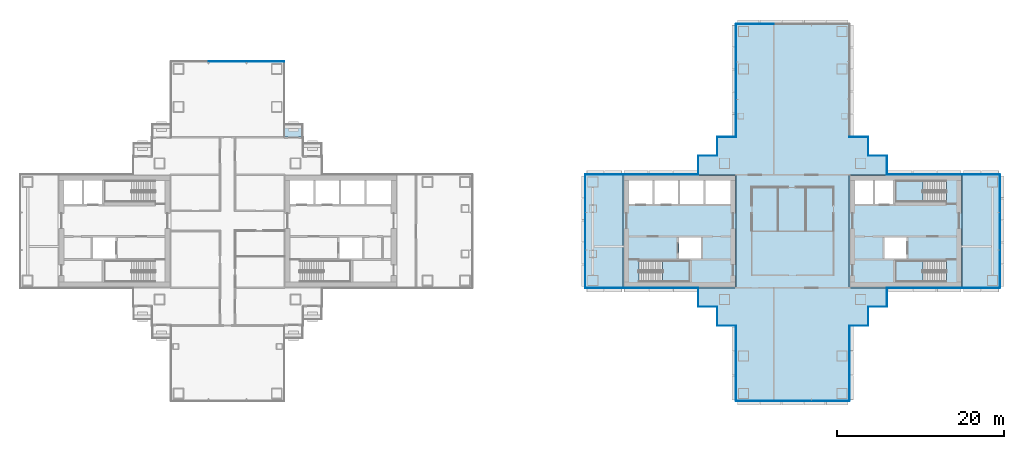
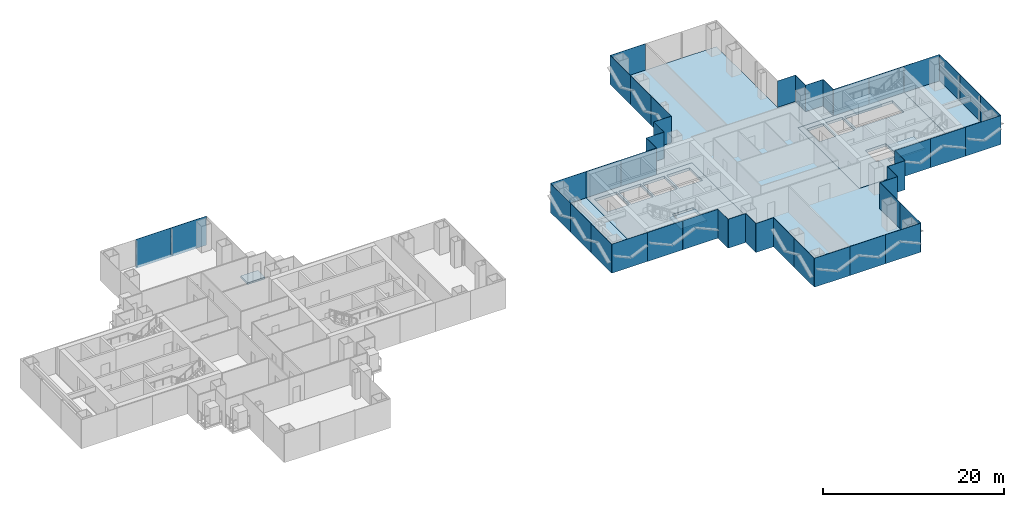
# One storey, part 10 of 20: 47 plates, 9 slabs, 23 elements without a shape of their own.
"""IFC4 building model written with IfcOpenShell, lengths in metres."""

from ifc_helpers import new_model, si_unit, direction, frame, origin, origin_2d, place, context, subcontext, project, spatial, polyline, rectangle, outline, extrude, material, layer, layer_set, type_object, element, aggregate, save


model = new_model("IFC4")

# Units and contexts
model_context = context("Model", 3, precision=1e-05, world=origin(), true_north=direction((0.0, 1.0)))
body_context = subcontext(model_context, "Body", "Model", "MODEL_VIEW")
ifc_project = project(units=[si_unit("LENGTHUNIT", "METRE"), si_unit("AREAUNIT", "SQUARE_METRE"), si_unit("VOLUMEUNIT", "CUBIC_METRE"), si_unit("PLANEANGLEUNIT", "RADIAN"), si_unit("MASSUNIT", "GRAM", prefix="KILO")], contexts=[model_context])

# Site, building, storey
site_placement = place(None, origin())
site = spatial("IfcSite", under=ifc_project, at=site_placement, CompositionType="ELEMENT")
building_placement = place(site_placement, origin())
building = spatial("IfcBuilding", under=site, at=building_placement, Name="Shamsa Quay Exchange Towers", CompositionType="ELEMENT")
storey_placement = place(building_placement, frame((0.0, 0.0, 105.300048828125)))
storey = spatial("IfcBuildingStorey", under=building, at=storey_placement, Name="L24", CompositionType="ELEMENT", Elevation=105.300048828125)

# Slabs
ifc_material_1 = material(Name="Precast concrete C40/50", Category="concrete")
ifc_layer_1 = layer(ifc_material_1, 0.25)
ifc_layer_set_1 = layer_set([ifc_layer_1], Name="BALCONY SLAB 250")
slab_type_1 = type_object("IfcSlabType", Name="BALCONY SLAB 250", PredefinedType="FLOOR", material=ifc_layer_set_1)
slab_1_placement = place(storey_placement, frame((0.0, 0.0, -0.25)))
element("IfcSlab", 1, at=slab_1_placement, inside=storey, type_object=slab_type_1, Name="Balcony T1-PKEN L24", PredefinedType="FLOOR", context=body_context, shape_type="SweptSolid", body=[
    extrude(outline(polyline([(-24.75, 11.25), (-26.9619140625, 11.25), (-26.9619140625, 12.800048828125), (-24.75, 12.800048828125), (-24.75, 11.25)])), origin(), (0.0, 0.0, 1.0), 0.25),
])
ifc_material_2 = material(Name="Concrete C50/60", Category="concrete")
ifc_layer_2 = layer(ifc_material_2, 0.35009765625)
ifc_layer_set_2 = layer_set([ifc_layer_2], Name="CORE FLOOR 350 C50/60")
slab_type_2 = type_object("IfcSlabType", Name="CORE FLOOR 350 C50/60", PredefinedType="FLOOR", material=ifc_layer_set_2)
slab_2_placement = place(storey_placement, frame((0.0, 0.0, -0.35009765625)))
element("IfcSlab", 2, at=slab_2_placement, inside=storey, type_object=slab_type_2, Name="Core floor T2A", PredefinedType="FLOOR", context=body_context, shape_type="SweptSolid", body=[
    extrude(outline(polyline([(13.5, -6.75), (27.0, -6.75), (27.0, 6.75), (13.5, 6.75), (13.5, -6.75)]), holes=[polyline([(15.400634765625, -6.050048828125), (15.400634765625, -3.5), (21.5, -3.5), (21.5, -6.050048828125), (15.400634765625, -6.050048828125)]), polyline([(14.199951171875, 3.25), (14.199951171875, 6.050048828125), (17.0, 6.050048828125), (17.0, 3.25), (14.199951171875, 3.25)]), polyline([(17.25, 3.25), (17.25, 6.050048828125), (20.050048828125, 6.050048828125), (20.050048828125, 3.25), (17.25, 3.25)]), polyline([(20.300048828125, 3.25), (20.300048828125, 6.050048828125), (23.10009765625, 6.050048828125), (23.10009765625, 3.25), (20.300048828125, 3.25)]), polyline([(23.35009765625, 3.25), (23.35009765625, 6.050048828125), (26.300048828125, 6.050048828125), (26.300048828125, 3.25), (23.35009765625, 3.25)]), polyline([(20.14990234375, -3.25), (20.14990234375, -0.75), (22.800048828125, -0.75), (22.800048828125, -3.25), (20.14990234375, -3.25)])]), origin(), (0.0, 0.0, 1.0), 0.35009765625),
])
slab_3_placement = place(storey_placement, frame((0.0, 0.0, -0.35009765625)))
element("IfcSlab", 3, at=slab_3_placement, inside=storey, type_object=slab_type_2, Name="Core floor T2B", PredefinedType="FLOOR", context=body_context, shape_type="SweptSolid", body=[
    extrude(outline(polyline([(54.0, -6.75), (54.0, 6.75), (40.5, 6.75), (40.5, -6.75), (54.0, -6.75)]), holes=[polyline([(52.099365234375, -3.5), (52.099365234375, -6.050048828125), (46.0, -6.050048828125), (46.0, -3.5), (52.099365234375, -3.5)]), polyline([(52.099365234375, 6.050048828125), (52.099365234375, 3.5), (46.0, 3.5), (46.0, 6.050048828125), (52.099365234375, 6.050048828125)]), polyline([(45.75, 3.25), (43.60009765625, 3.25), (43.60009765625, 6.050048828125), (45.75, 6.050048828125), (45.75, 3.25)]), polyline([(43.35009765625, 3.25), (41.199951171875, 3.25), (41.199951171875, 6.050048828125), (43.35009765625, 6.050048828125), (43.35009765625, 3.25)]), polyline([(47.35009765625, -3.25), (44.699951171875, -3.25), (44.699951171875, -0.75), (47.35009765625, -0.75), (47.35009765625, -3.25)])]), origin(), (0.0, 0.0, 1.0), 0.35009765625),
])

# Stair, slab
ifc_material_3 = material(Name="Concrete C40/50", Category="concrete")
stair_type = type_object("IfcStairType", Name="EXIT STAIR 22 RISERS 177 MM", PredefinedType="HALF_TURN_STAIR", material=ifc_material_3)
stair_1_placement = place(storey_placement, origin())
stair_1 = element("IfcStair", 4, at=stair_1_placement, inside=storey, type_object=stair_type, Name="L24 Exit stair ST4", PredefinedType="HALF_TURN_STAIR")
ifc_layer_3 = layer(ifc_material_3, 0.199951171875)
ifc_layer_set_3 = layer_set([ifc_layer_3], Name="CORE STAIR LANDING")
slab_type_3 = type_object("IfcSlabType", Name="CORE STAIR LANDING", PredefinedType="LANDING", material=ifc_layer_set_3)
slab_4_placement = place(storey_placement, frame((0.0, 0.0, 1.75)))
slab_4 = element("IfcSlab", 5, at=slab_4_placement, type_object=slab_type_3, Name="ST4 landing 1", PredefinedType="LANDING", context=body_context, shape_type="SweptSolid", body=[
    extrude(outline(polyline([(18.199951171875, -6.050048828125), (21.5, -6.050048828125), (21.5, -3.5), (18.199951171875, -3.5), (18.199951171875, -6.050048828125)])), origin(), (0.0, 0.0, 1.0), 0.199951171875),
])
aggregate(stair_1, [slab_4])

stair_2_placement = place(storey_placement, origin())
stair_2 = element("IfcStair", 6, at=stair_2_placement, inside=storey, type_object=stair_type, Name="L24 Exit stair ST5", PredefinedType="HALF_TURN_STAIR")
slab_5_placement = place(storey_placement, frame((0.0, 0.0, 1.75)))
slab_5 = element("IfcSlab", 7, at=slab_5_placement, type_object=slab_type_3, Name="ST5 landing 1", PredefinedType="LANDING", context=body_context, shape_type="SweptSolid", body=[
    extrude(outline(polyline([(49.300048828125, -3.5), (46.0, -3.5), (46.0, -6.050048828125), (49.300048828125, -6.050048828125), (49.300048828125, -3.5)])), origin(), (0.0, 0.0, 1.0), 0.199951171875),
])
aggregate(stair_2, [slab_5])

stair_3_placement = place(storey_placement, origin())
stair_3 = element("IfcStair", 8, at=stair_3_placement, inside=storey, type_object=stair_type, Name="L24 Exit stair ST6", PredefinedType="HALF_TURN_STAIR")
slab_6_placement = place(storey_placement, frame((0.0, 0.0, 1.75)))
slab_6 = element("IfcSlab", 9, at=slab_6_placement, type_object=slab_type_3, Name="ST6 landing 1", PredefinedType="LANDING", context=body_context, shape_type="SweptSolid", body=[
    extrude(outline(polyline([(49.300048828125, 6.050048828125), (46.0, 6.050048828125), (46.0, 3.5), (49.300048828125, 3.5), (49.300048828125, 6.050048828125)])), origin(), (0.0, 0.0, 1.0), 0.199951171875),
])
aggregate(stair_3, [slab_6])

# Curtain wall, plates
ifc_material_4 = material(Name="Aluminium EN AW-6063 T6, black anodised", Category="aluminium")
ifc_layer_4 = layer(ifc_material_4, 0.280029296875)
ifc_layer_set_4 = layer_set([ifc_layer_4], Name="CW-1 UNITISED VISION GLASS")
curtain_wall_type_1 = type_object("IfcCurtainWallType", Name="CW-1 UNITISED VISION GLASS", PredefinedType="NOTDEFINED", material=ifc_layer_set_4)
curtain_wall_1_placement = place(storey_placement, origin())
curtain_wall_1 = element("IfcCurtainWall", 10, at=curtain_wall_1_placement, inside=storey, type_object=curtain_wall_type_1, Name="CW1 T1-END-V+ L24", PredefinedType="NOTDEFINED")
ifc_material_5 = material(Name="Glass, laminated, dark tinted", Category="glass")
ifc_layer_5 = layer(ifc_material_5, 0.0400390625)
ifc_layer_set_5 = layer_set([ifc_layer_5], Name="CW-1 VISION GLASS 40")
plate_type_1 = type_object("IfcPlateType", Name="CW-1 VISION GLASS 40", PredefinedType="CURTAIN_PANEL", material=ifc_layer_set_5)
plate_1_placement = place(storey_placement, frame((-29.24755859375, 20.27001953125, -0.35009765625), z_axis=(0.0, 0.0, 1.0), x_axis=(-1.0, 0.0, 0.0)))
plate_1 = element("IfcPlate", 11, at=plate_1_placement, type_object=plate_type_1, Name="CW1 glass panel", PredefinedType="CURTAIN_PANEL", context=body_context, shape_type="SweptSolid", body=[
    extrude(rectangle(XDim=4.4951171875, YDim=0.0400390625, at=origin_2d()), origin(), (0.0, 0.0, 1.0), 3.89990234375),
])
plate_2_placement = place(storey_placement, frame((-33.75, 20.27001953125, -0.35009765625), z_axis=(0.0, 0.0, 1.0), x_axis=(-1.0, 0.0, 0.0)))
plate_2 = element("IfcPlate", 12, at=plate_2_placement, type_object=plate_type_1, Name="CW1 glass panel", PredefinedType="CURTAIN_PANEL", context=body_context, shape_type="SweptSolid", body=[
    extrude(rectangle(XDim=4.489990234375, YDim=0.0400390625, at=origin_2d()), origin(), (0.0, 0.0, 1.0), 3.89990234375),
])
aggregate(curtain_wall_1, [plate_1, plate_2])

# Curtain wall, plate
curtain_wall_2_placement = place(storey_placement, origin())
curtain_wall_2 = element("IfcCurtainWall", 13, at=curtain_wall_2_placement, inside=storey, type_object=curtain_wall_type_1, Name="CW1 T2-FLK-V-W L24", PredefinedType="NOTDEFINED")
plate_3_placement = place(storey_placement, frame((56.25, -6.77001953125, -0.35009765625)))
plate_3 = element("IfcPlate", 14, at=plate_3_placement, type_object=plate_type_1, Name="CW1 glass panel", PredefinedType="CURTAIN_PANEL", context=body_context, shape_type="SweptSolid", body=[
    extrude(rectangle(XDim=4.5, YDim=0.0400390625, at=origin_2d()), origin(), (0.0, 0.0, 1.0), 3.89990234375),
])
aggregate(curtain_wall_2, [plate_3])

# Curtain wall, plates
curtain_wall_3_placement = place(storey_placement, origin())
curtain_wall_3 = element("IfcCurtainWall", 15, at=curtain_wall_3_placement, inside=storey, type_object=curtain_wall_type_1, Name="CW1 T2-END-V- L24", PredefinedType="NOTDEFINED")
plate_4_placement = place(storey_placement, frame((58.52001953125, -4.50244140625, -0.35009765625), z_axis=(0.0, 0.0, 1.0), x_axis=(0.0, 1.0, 0.0)))
plate_4 = element("IfcPlate", 16, at=plate_4_placement, type_object=plate_type_1, Name="CW1 glass panel", PredefinedType="CURTAIN_PANEL", context=body_context, shape_type="SweptSolid", body=[
    extrude(rectangle(XDim=4.4951171875, YDim=0.0400390625, at=origin_2d()), origin(), (0.0, 0.0, 1.0), 3.89990234375),
])
plate_5_placement = place(storey_placement, frame((58.52001953125, 0.0, -0.35009765625), z_axis=(0.0, 0.0, 1.0), x_axis=(0.0, 1.0, 0.0)))
plate_5 = element("IfcPlate", 17, at=plate_5_placement, type_object=plate_type_1, Name="CW1 glass panel", PredefinedType="CURTAIN_PANEL", context=body_context, shape_type="SweptSolid", body=[
    extrude(rectangle(XDim=4.489990234375, YDim=0.0400390625, at=origin_2d()), origin(), (0.0, 0.0, 1.0), 3.89990234375),
])
plate_6_placement = place(storey_placement, frame((58.52001953125, 4.50244140625, -0.35009765625), z_axis=(0.0, 0.0, 1.0), x_axis=(0.0, 1.0, 0.0)))
plate_6 = element("IfcPlate", 18, at=plate_6_placement, type_object=plate_type_1, Name="CW1 glass panel", PredefinedType="CURTAIN_PANEL", context=body_context, shape_type="SweptSolid", body=[
    extrude(rectangle(XDim=4.4951171875, YDim=0.0400390625, at=origin_2d()), origin(), (0.0, 0.0, 1.0), 3.89990234375),
])
aggregate(curtain_wall_3, [plate_4, plate_5, plate_6])

# Curtain wall, plate
curtain_wall_4_placement = place(storey_placement, origin())
curtain_wall_4 = element("IfcCurtainWall", 19, at=curtain_wall_4_placement, inside=storey, type_object=curtain_wall_type_1, Name="CW1 T2-FLK-V-E L24", PredefinedType="NOTDEFINED")
plate_7_placement = place(storey_placement, frame((56.25, 6.77001953125, -0.35009765625), z_axis=(0.0, 0.0, 1.0), x_axis=(-1.0, 0.0, 0.0)))
plate_7 = element("IfcPlate", 20, at=plate_7_placement, type_object=plate_type_1, Name="CW1 glass panel", PredefinedType="CURTAIN_PANEL", context=body_context, shape_type="SweptSolid", body=[
    extrude(rectangle(XDim=4.5, YDim=0.0400390625, at=origin_2d()), origin(), (0.0, 0.0, 1.0), 3.89990234375),
])
aggregate(curtain_wall_4, [plate_7])

curtain_wall_5_placement = place(storey_placement, origin())
curtain_wall_5 = element("IfcCurtainWall", 21, at=curtain_wall_5_placement, inside=storey, type_object=curtain_wall_type_1, Name="CW1 T2-END-U+ L24", PredefinedType="NOTDEFINED")
plate_8_placement = place(storey_placement, frame((29.24755859375, 24.77001953125, -0.35009765625), z_axis=(0.0, 0.0, 1.0), x_axis=(-1.0, 0.0, 0.0)))
plate_8 = element("IfcPlate", 22, at=plate_8_placement, type_object=plate_type_1, Name="CW1 glass panel", PredefinedType="CURTAIN_PANEL", context=body_context, shape_type="SweptSolid", body=[
    extrude(rectangle(XDim=4.4951171875, YDim=0.0400390625, at=origin_2d()), origin(), (0.0, 0.0, 1.0), 3.89990234375),
])
aggregate(curtain_wall_5, [plate_8])

# Curtain wall, plates
curtain_wall_6_placement = place(storey_placement, origin())
curtain_wall_6 = element("IfcCurtainWall", 23, at=curtain_wall_6_placement, inside=storey, type_object=curtain_wall_type_1, Name="CW1 T2-FLK-U+N L24", PredefinedType="NOTDEFINED")
plate_9_placement = place(storey_placement, frame((26.97998046875, 22.50244140625, -0.35009765625), z_axis=(0.0, 0.0, 1.0), x_axis=(0.0, -1.0, 0.0)))
plate_9 = element("IfcPlate", 24, at=plate_9_placement, type_object=plate_type_1, Name="CW1 glass panel", PredefinedType="CURTAIN_PANEL", context=body_context, shape_type="SweptSolid", body=[
    extrude(rectangle(XDim=4.4951171875, YDim=0.0400390625, at=origin_2d()), origin(), (0.0, 0.0, 1.0), 3.89990234375),
])
plate_10_placement = place(storey_placement, frame((26.97998046875, 18.0, -0.35009765625), z_axis=(0.0, 0.0, 1.0), x_axis=(0.0, -1.0, 0.0)))
plate_10 = element("IfcPlate", 25, at=plate_10_placement, type_object=plate_type_1, Name="CW1 glass panel", PredefinedType="CURTAIN_PANEL", context=body_context, shape_type="SweptSolid", body=[
    extrude(rectangle(XDim=4.489990234375, YDim=0.0400390625, at=origin_2d()), origin(), (0.0, 0.0, 1.0), 3.89990234375),
])
plate_11_placement = place(storey_placement, frame((26.97998046875, 13.49755859375, -0.35009765625), z_axis=(0.0, 0.0, 1.0), x_axis=(0.0, -1.0, 0.0)))
plate_11 = element("IfcPlate", 26, at=plate_11_placement, type_object=plate_type_1, Name="CW1 glass panel", PredefinedType="CURTAIN_PANEL", context=body_context, shape_type="SweptSolid", body=[
    extrude(rectangle(XDim=4.4951171875, YDim=0.0400390625, at=origin_2d()), origin(), (0.0, 0.0, 1.0), 3.89990234375),
])
aggregate(curtain_wall_6, [plate_9, plate_10, plate_11])

# Curtain wall, plate
curtain_wall_7_placement = place(storey_placement, origin())
curtain_wall_7 = element("IfcCurtainWall", 27, at=curtain_wall_7_placement, inside=storey, type_object=curtain_wall_type_1, Name="CW1 T2-FLK-V+E L24", PredefinedType="NOTDEFINED")
plate_12_placement = place(storey_placement, frame((11.25, 6.77001953125, -0.35009765625), z_axis=(0.0, 0.0, 1.0), x_axis=(-1.0, 0.0, 0.0)))
plate_12 = element("IfcPlate", 28, at=plate_12_placement, type_object=plate_type_1, Name="CW1 glass panel", PredefinedType="CURTAIN_PANEL", context=body_context, shape_type="SweptSolid", body=[
    extrude(rectangle(XDim=4.5, YDim=0.0400390625, at=origin_2d()), origin(), (0.0, 0.0, 1.0), 3.89990234375),
])
aggregate(curtain_wall_7, [plate_12])

# Curtain wall, plates
curtain_wall_8_placement = place(storey_placement, origin())
curtain_wall_8 = element("IfcCurtainWall", 29, at=curtain_wall_8_placement, inside=storey, type_object=curtain_wall_type_1, Name="CW1 T2-END-V+ L24", PredefinedType="NOTDEFINED")
plate_13_placement = place(storey_placement, frame((8.97998046875, 4.50244140625, -0.35009765625), z_axis=(0.0, 0.0, 1.0), x_axis=(0.0, -1.0, 0.0)))
plate_13 = element("IfcPlate", 30, at=plate_13_placement, type_object=plate_type_1, Name="CW1 glass panel", PredefinedType="CURTAIN_PANEL", context=body_context, shape_type="SweptSolid", body=[
    extrude(rectangle(XDim=4.4951171875, YDim=0.0400390625, at=origin_2d()), origin(), (0.0, 0.0, 1.0), 3.89990234375),
])
plate_14_placement = place(storey_placement, frame((8.97998046875, 0.0, -0.35009765625), z_axis=(0.0, 0.0, 1.0), x_axis=(0.0, -1.0, 0.0)))
plate_14 = element("IfcPlate", 31, at=plate_14_placement, type_object=plate_type_1, Name="CW1 glass panel", PredefinedType="CURTAIN_PANEL", context=body_context, shape_type="SweptSolid", body=[
    extrude(rectangle(XDim=4.489990234375, YDim=0.0400390625, at=origin_2d()), origin(), (0.0, 0.0, 1.0), 3.89990234375),
])
plate_15_placement = place(storey_placement, frame((8.97998046875, -4.50244140625, -0.35009765625), z_axis=(0.0, 0.0, 1.0), x_axis=(0.0, -1.0, 0.0)))
plate_15 = element("IfcPlate", 32, at=plate_15_placement, type_object=plate_type_1, Name="CW1 glass panel", PredefinedType="CURTAIN_PANEL", context=body_context, shape_type="SweptSolid", body=[
    extrude(rectangle(XDim=4.4951171875, YDim=0.0400390625, at=origin_2d()), origin(), (0.0, 0.0, 1.0), 3.89990234375),
])
aggregate(curtain_wall_8, [plate_13, plate_14, plate_15])

# Curtain wall, plate
curtain_wall_9_placement = place(storey_placement, origin())
curtain_wall_9 = element("IfcCurtainWall", 33, at=curtain_wall_9_placement, inside=storey, type_object=curtain_wall_type_1, Name="CW1 T2-FLK-V+W L24", PredefinedType="NOTDEFINED")
plate_16_placement = place(storey_placement, frame((11.25, -6.77001953125, -0.35009765625)))
plate_16 = element("IfcPlate", 34, at=plate_16_placement, type_object=plate_type_1, Name="CW1 glass panel", PredefinedType="CURTAIN_PANEL", context=body_context, shape_type="SweptSolid", body=[
    extrude(rectangle(XDim=4.5, YDim=0.0400390625, at=origin_2d()), origin(), (0.0, 0.0, 1.0), 3.89990234375),
])
aggregate(curtain_wall_9, [plate_16])

# Curtain wall, plates
curtain_wall_10_placement = place(storey_placement, origin())
curtain_wall_10 = element("IfcCurtainWall", 35, at=curtain_wall_10_placement, inside=storey, type_object=curtain_wall_type_1, Name="CW1 T2-FLK-U-N L24", PredefinedType="NOTDEFINED")
plate_17_placement = place(storey_placement, frame((26.97998046875, -13.52587890625, -0.35009765625), z_axis=(0.0, 0.0, 1.0), x_axis=(0.0, -1.0, 0.0)))
plate_17 = element("IfcPlate", 36, at=plate_17_placement, type_object=plate_type_1, Name="CW1 glass panel", PredefinedType="CURTAIN_PANEL", context=body_context, shape_type="SweptSolid", body=[
    extrude(rectangle(XDim=4.47607421875, YDim=0.0400390625, at=origin_2d()), origin(), (0.0, 0.0, 1.0), 3.89990234375),
])
plate_18_placement = place(storey_placement, frame((26.97998046875, -18.011962890625, -0.35009765625), z_axis=(0.0, 0.0, 1.0), x_axis=(0.0, -1.0, 0.0)))
plate_18 = element("IfcPlate", 37, at=plate_18_placement, type_object=plate_type_1, Name="CW1 glass panel", PredefinedType="CURTAIN_PANEL", context=body_context, shape_type="SweptSolid", body=[
    extrude(rectangle(XDim=4.47607421875, YDim=0.0400390625, at=origin_2d()), origin(), (0.0, 0.0, 1.0), 3.89990234375),
])
aggregate(curtain_wall_10, [plate_17, plate_18])

curtain_wall_11_placement = place(storey_placement, origin())
curtain_wall_11 = element("IfcCurtainWall", 38, at=curtain_wall_11_placement, inside=storey, type_object=curtain_wall_type_1, Name="CW1 T2-END-U- L24", PredefinedType="NOTDEFINED")
plate_19_placement = place(storey_placement, frame((29.24755859375, -20.27001953125, -0.35009765625)))
plate_19 = element("IfcPlate", 39, at=plate_19_placement, type_object=plate_type_1, Name="CW1 glass panel", PredefinedType="CURTAIN_PANEL", context=body_context, shape_type="SweptSolid", body=[
    extrude(rectangle(XDim=4.4951171875, YDim=0.0400390625, at=origin_2d()), origin(), (0.0, 0.0, 1.0), 3.89990234375),
])
plate_20_placement = place(storey_placement, frame((33.75, -20.27001953125, -0.35009765625)))
plate_20 = element("IfcPlate", 40, at=plate_20_placement, type_object=plate_type_1, Name="CW1 glass panel", PredefinedType="CURTAIN_PANEL", context=body_context, shape_type="SweptSolid", body=[
    extrude(rectangle(XDim=4.489990234375, YDim=0.0400390625, at=origin_2d()), origin(), (0.0, 0.0, 1.0), 3.89990234375),
])
plate_21_placement = place(storey_placement, frame((38.25244140625, -20.27001953125, -0.35009765625)))
plate_21 = element("IfcPlate", 41, at=plate_21_placement, type_object=plate_type_1, Name="CW1 glass panel", PredefinedType="CURTAIN_PANEL", context=body_context, shape_type="SweptSolid", body=[
    extrude(rectangle(XDim=4.4951171875, YDim=0.0400390625, at=origin_2d()), origin(), (0.0, 0.0, 1.0), 3.89990234375),
])
aggregate(curtain_wall_11, [plate_19, plate_20, plate_21])

curtain_wall_12_placement = place(storey_placement, origin())
curtain_wall_12 = element("IfcCurtainWall", 42, at=curtain_wall_12_placement, inside=storey, type_object=curtain_wall_type_1, Name="CW1 T2-FLK-U-S L24", PredefinedType="NOTDEFINED")
plate_22_placement = place(storey_placement, frame((40.52001953125, -18.00244140625, -0.35009765625), z_axis=(0.0, 0.0, 1.0), x_axis=(0.0, 1.0, 0.0)))
plate_22 = element("IfcPlate", 43, at=plate_22_placement, type_object=plate_type_1, Name="CW1 glass panel", PredefinedType="CURTAIN_PANEL", context=body_context, shape_type="SweptSolid", body=[
    extrude(rectangle(XDim=4.4951171875, YDim=0.0400390625, at=origin_2d()), origin(), (0.0, 0.0, 1.0), 3.89990234375),
])
plate_23_placement = place(storey_placement, frame((40.52001953125, -13.49755859375, -0.35009765625), z_axis=(0.0, 0.0, 1.0), x_axis=(0.0, 1.0, 0.0)))
plate_23 = element("IfcPlate", 44, at=plate_23_placement, type_object=plate_type_1, Name="CW1 glass panel", PredefinedType="CURTAIN_PANEL", context=body_context, shape_type="SweptSolid", body=[
    extrude(rectangle(XDim=4.4951171875, YDim=0.0400390625, at=origin_2d()), origin(), (0.0, 0.0, 1.0), 3.89990234375),
])
aggregate(curtain_wall_12, [plate_22, plate_23])

ifc_layer_6 = layer(ifc_material_4, 0.303955078125)
ifc_layer_set_6 = layer_set([ifc_layer_6], Name="CW-2 UNITISED OPAQUE SPANDREL GLASS")
curtain_wall_type_2 = type_object("IfcCurtainWallType", Name="CW-2 UNITISED OPAQUE SPANDREL GLASS", PredefinedType="NOTDEFINED", material=ifc_layer_set_6)
curtain_wall_13_placement = place(storey_placement, origin())
curtain_wall_13 = element("IfcCurtainWall", 45, at=curtain_wall_13_placement, inside=storey, type_object=curtain_wall_type_2, Name="CW2 T2-FLK-V-W L24", PredefinedType="NOTDEFINED")
ifc_material_6 = material(Name="Glass, laminated, black enamelled opaque", Category="glass")
ifc_layer_7 = layer(ifc_material_6, 0.0439453125)
ifc_layer_set_7 = layer_set([ifc_layer_7], Name="CW-2 SPANDREL GLASS 44")
plate_type_2 = type_object("IfcPlateType", Name="CW-2 SPANDREL GLASS 44", PredefinedType="CURTAIN_PANEL", material=ifc_layer_set_7)
plate_24_placement = place(storey_placement, frame((47.27587890625, -6.77197265625, -0.35009765625)))
plate_24 = element("IfcPlate", 46, at=plate_24_placement, type_object=plate_type_2, Name="CW2 glass panel", PredefinedType="CURTAIN_PANEL", context=body_context, shape_type="SweptSolid", body=[
    extrude(rectangle(XDim=4.47607421875, YDim=0.0439453125, at=origin_2d()), origin(), (0.0, 0.0, 1.0), 3.89990234375),
])
plate_25_placement = place(storey_placement, frame((51.761962890625, -6.77197265625, -0.35009765625)))
plate_25 = element("IfcPlate", 47, at=plate_25_placement, type_object=plate_type_2, Name="CW2 glass panel", PredefinedType="CURTAIN_PANEL", context=body_context, shape_type="SweptSolid", body=[
    extrude(rectangle(XDim=4.47607421875, YDim=0.0439453125, at=origin_2d()), origin(), (0.0, 0.0, 1.0), 3.89990234375),
])
aggregate(curtain_wall_13, [plate_24, plate_25])

curtain_wall_14_placement = place(storey_placement, origin())
curtain_wall_14 = element("IfcCurtainWall", 48, at=curtain_wall_14_placement, inside=storey, type_object=curtain_wall_type_2, Name="CW2 T2-FLK-V-E L24", PredefinedType="NOTDEFINED")
plate_26_placement = place(storey_placement, frame((51.75244140625, 6.77197265625, -0.35009765625), z_axis=(0.0, 0.0, 1.0), x_axis=(-1.0, 0.0, 0.0)))
plate_26 = element("IfcPlate", 49, at=plate_26_placement, type_object=plate_type_2, Name="CW2 glass panel", PredefinedType="CURTAIN_PANEL", context=body_context, shape_type="SweptSolid", body=[
    extrude(rectangle(XDim=4.4951171875, YDim=0.0439453125, at=origin_2d()), origin(), (0.0, 0.0, 1.0), 3.89990234375),
])
plate_27_placement = place(storey_placement, frame((47.24755859375, 6.77197265625, -0.35009765625), z_axis=(0.0, 0.0, 1.0), x_axis=(-1.0, 0.0, 0.0)))
plate_27 = element("IfcPlate", 50, at=plate_27_placement, type_object=plate_type_2, Name="CW2 glass panel", PredefinedType="CURTAIN_PANEL", context=body_context, shape_type="SweptSolid", body=[
    extrude(rectangle(XDim=4.4951171875, YDim=0.0439453125, at=origin_2d()), origin(), (0.0, 0.0, 1.0), 3.89990234375),
])
aggregate(curtain_wall_14, [plate_26, plate_27])

curtain_wall_15_placement = place(storey_placement, origin())
curtain_wall_15 = element("IfcCurtainWall", 51, at=curtain_wall_15_placement, inside=storey, type_object=curtain_wall_type_2, Name="CW2 T2-FLK-V+E L24", PredefinedType="NOTDEFINED")
plate_28_placement = place(storey_placement, frame((20.22412109375, 6.77197265625, -0.35009765625), z_axis=(0.0, 0.0, 1.0), x_axis=(-1.0, 0.0, 0.0)))
plate_28 = element("IfcPlate", 52, at=plate_28_placement, type_object=plate_type_2, Name="CW2 glass panel", PredefinedType="CURTAIN_PANEL", context=body_context, shape_type="SweptSolid", body=[
    extrude(rectangle(XDim=4.47607421875, YDim=0.0439453125, at=origin_2d()), origin(), (0.0, 0.0, 1.0), 3.89990234375),
])
plate_29_placement = place(storey_placement, frame((15.738037109375, 6.77197265625, -0.35009765625), z_axis=(0.0, 0.0, 1.0), x_axis=(-1.0, 0.0, 0.0)))
plate_29 = element("IfcPlate", 53, at=plate_29_placement, type_object=plate_type_2, Name="CW2 glass panel", PredefinedType="CURTAIN_PANEL", context=body_context, shape_type="SweptSolid", body=[
    extrude(rectangle(XDim=4.47607421875, YDim=0.0439453125, at=origin_2d()), origin(), (0.0, 0.0, 1.0), 3.89990234375),
])
aggregate(curtain_wall_15, [plate_28, plate_29])

curtain_wall_16_placement = place(storey_placement, origin())
curtain_wall_16 = element("IfcCurtainWall", 54, at=curtain_wall_16_placement, inside=storey, type_object=curtain_wall_type_2, Name="CW2 T2-FLK-V+W L24", PredefinedType="NOTDEFINED")
plate_30_placement = place(storey_placement, frame((15.74755859375, -6.77197265625, -0.35009765625)))
plate_30 = element("IfcPlate", 55, at=plate_30_placement, type_object=plate_type_2, Name="CW2 glass panel", PredefinedType="CURTAIN_PANEL", context=body_context, shape_type="SweptSolid", body=[
    extrude(rectangle(XDim=4.4951171875, YDim=0.0439453125, at=origin_2d()), origin(), (0.0, 0.0, 1.0), 3.89990234375),
])
plate_31_placement = place(storey_placement, frame((20.25244140625, -6.77197265625, -0.35009765625)))
plate_31 = element("IfcPlate", 56, at=plate_31_placement, type_object=plate_type_2, Name="CW2 glass panel", PredefinedType="CURTAIN_PANEL", context=body_context, shape_type="SweptSolid", body=[
    extrude(rectangle(XDim=4.4951171875, YDim=0.0439453125, at=origin_2d()), origin(), (0.0, 0.0, 1.0), 3.89990234375),
])
aggregate(curtain_wall_16, [plate_30, plate_31])

ifc_layer_8 = layer(ifc_material_4, 0.256103515625)
ifc_layer_set_8 = layer_set([ifc_layer_8], Name="CW-4 POCKET SERRATED GLAZING")
curtain_wall_type_3 = type_object("IfcCurtainWallType", Name="CW-4 POCKET SERRATED GLAZING", PredefinedType="NOTDEFINED", material=ifc_layer_set_8)
curtain_wall_17_placement = place(storey_placement, origin())
curtain_wall_17 = element("IfcCurtainWall", 57, at=curtain_wall_17_placement, inside=storey, type_object=curtain_wall_type_3, Name="CW4 PKWS L24", PredefinedType="NOTDEFINED")
ifc_layer_9 = layer(ifc_material_5, 0.035888671875)
ifc_layer_set_9 = layer_set([ifc_layer_9], Name="CW-4 POCKET GLASS 36")
plate_type_3 = type_object("IfcPlateType", Name="CW-4 POCKET GLASS 36", PredefinedType="CURTAIN_PANEL", material=ifc_layer_set_9)
plate_32_placement = place(storey_placement, frame((43.89404296875, -9.01806640625, -0.35009765625)))
plate_32 = element("IfcPlate", 58, at=plate_32_placement, type_object=plate_type_3, Name="CW4 glass panel", PredefinedType="CURTAIN_PANEL", context=body_context, shape_type="SweptSolid", body=[
    extrude(rectangle(XDim=2.2119140625, YDim=0.035888671875, at=origin_2d()), origin(), (0.0, 0.0, 1.0), 3.89990234375),
])
plate_33_placement = place(storey_placement, frame((45.01806640625, -7.875, -0.35009765625), z_axis=(0.0, 0.0, 1.0), x_axis=(0.0, 1.0, 0.0)))
plate_33 = element("IfcPlate", 59, at=plate_33_placement, type_object=plate_type_3, Name="CW4 glass panel", PredefinedType="CURTAIN_PANEL", context=body_context, shape_type="SweptSolid", body=[
    extrude(rectangle(XDim=2.25, YDim=0.035888671875, at=origin_2d()), origin(), (0.0, 0.0, 1.0), 3.89990234375),
])
plate_34_placement = place(storey_placement, frame((41.64599609375, -11.26806640625, -0.35009765625)))
plate_34 = element("IfcPlate", 60, at=plate_34_placement, type_object=plate_type_3, Name="CW4 glass panel", PredefinedType="CURTAIN_PANEL", context=body_context, shape_type="SweptSolid", body=[
    extrude(rectangle(XDim=2.2080078125, YDim=0.035888671875, at=origin_2d()), origin(), (0.0, 0.0, 1.0), 3.89990234375),
])
plate_35_placement = place(storey_placement, frame((42.76806640625, -10.125, -0.35009765625), z_axis=(0.0, 0.0, 1.0), x_axis=(0.0, 1.0, 0.0)))
plate_35 = element("IfcPlate", 61, at=plate_35_placement, type_object=plate_type_3, Name="CW4 glass panel", PredefinedType="CURTAIN_PANEL", context=body_context, shape_type="SweptSolid", body=[
    extrude(rectangle(XDim=2.25, YDim=0.035888671875, at=origin_2d()), origin(), (0.0, 0.0, 1.0), 3.89990234375),
])
aggregate(curtain_wall_17, [plate_32, plate_33, plate_34, plate_35])

curtain_wall_18_placement = place(storey_placement, origin())
curtain_wall_18 = element("IfcCurtainWall", 62, at=curtain_wall_18_placement, inside=storey, type_object=curtain_wall_type_3, Name="CW4 PKES L24", PredefinedType="NOTDEFINED")
plate_36_placement = place(storey_placement, frame((45.01806640625, 7.89794921875, -0.35009765625), z_axis=(0.0, 0.0, 1.0), x_axis=(0.0, 1.0, 0.0)))
plate_36 = element("IfcPlate", 63, at=plate_36_placement, type_object=plate_type_3, Name="CW4 glass panel", PredefinedType="CURTAIN_PANEL", context=body_context, shape_type="SweptSolid", body=[
    extrude(rectangle(XDim=2.2041015625, YDim=0.035888671875, at=origin_2d()), origin(), (0.0, 0.0, 1.0), 3.89990234375),
])
plate_37_placement = place(storey_placement, frame((43.875, 9.01806640625, -0.35009765625), z_axis=(0.0, 0.0, 1.0), x_axis=(-1.0, 0.0, 0.0)))
plate_37 = element("IfcPlate", 64, at=plate_37_placement, type_object=plate_type_3, Name="CW4 glass panel", PredefinedType="CURTAIN_PANEL", context=body_context, shape_type="SweptSolid", body=[
    extrude(rectangle(XDim=2.25, YDim=0.035888671875, at=origin_2d()), origin(), (0.0, 0.0, 1.0), 3.89990234375),
])
plate_38_placement = place(storey_placement, frame((42.76806640625, 10.14404296875, -0.35009765625), z_axis=(0.0, 0.0, 1.0), x_axis=(0.0, 1.0, 0.0)))
plate_38 = element("IfcPlate", 65, at=plate_38_placement, type_object=plate_type_3, Name="CW4 glass panel", PredefinedType="CURTAIN_PANEL", context=body_context, shape_type="SweptSolid", body=[
    extrude(rectangle(XDim=2.2119140625, YDim=0.035888671875, at=origin_2d()), origin(), (0.0, 0.0, 1.0), 3.89990234375),
])
plate_39_placement = place(storey_placement, frame((41.625, 11.26806640625, -0.35009765625), z_axis=(0.0, 0.0, 1.0), x_axis=(-1.0, 0.0, 0.0)))
plate_39 = element("IfcPlate", 66, at=plate_39_placement, type_object=plate_type_3, Name="CW4 glass panel", PredefinedType="CURTAIN_PANEL", context=body_context, shape_type="SweptSolid", body=[
    extrude(rectangle(XDim=2.25, YDim=0.035888671875, at=origin_2d()), origin(), (0.0, 0.0, 1.0), 3.89990234375),
])
aggregate(curtain_wall_18, [plate_36, plate_37, plate_38, plate_39])

curtain_wall_19_placement = place(storey_placement, origin())
curtain_wall_19 = element("IfcCurtainWall", 67, at=curtain_wall_19_placement, inside=storey, type_object=curtain_wall_type_3, Name="CW4 PKEN L24", PredefinedType="NOTDEFINED")
plate_40_placement = place(storey_placement, frame((25.85400390625, 11.26806640625, -0.35009765625), z_axis=(0.0, 0.0, 1.0), x_axis=(-1.0, 0.0, 0.0)))
plate_40 = element("IfcPlate", 68, at=plate_40_placement, type_object=plate_type_3, Name="CW4 glass panel", PredefinedType="CURTAIN_PANEL", context=body_context, shape_type="SweptSolid", body=[
    extrude(rectangle(XDim=2.2080078125, YDim=0.035888671875, at=origin_2d()), origin(), (0.0, 0.0, 1.0), 3.89990234375),
])
plate_41_placement = place(storey_placement, frame((24.73193359375, 10.125, -0.35009765625), z_axis=(0.0, 0.0, 1.0), x_axis=(0.0, -1.0, 0.0)))
plate_41 = element("IfcPlate", 69, at=plate_41_placement, type_object=plate_type_3, Name="CW4 glass panel", PredefinedType="CURTAIN_PANEL", context=body_context, shape_type="SweptSolid", body=[
    extrude(rectangle(XDim=2.25, YDim=0.035888671875, at=origin_2d()), origin(), (0.0, 0.0, 1.0), 3.89990234375),
])
plate_42_placement = place(storey_placement, frame((23.60595703125, 9.01806640625, -0.35009765625), z_axis=(0.0, 0.0, 1.0), x_axis=(-1.0, 0.0, 0.0)))
plate_42 = element("IfcPlate", 70, at=plate_42_placement, type_object=plate_type_3, Name="CW4 glass panel", PredefinedType="CURTAIN_PANEL", context=body_context, shape_type="SweptSolid", body=[
    extrude(rectangle(XDim=2.2119140625, YDim=0.035888671875, at=origin_2d()), origin(), (0.0, 0.0, 1.0), 3.89990234375),
])
plate_43_placement = place(storey_placement, frame((22.48193359375, 7.875, -0.35009765625), z_axis=(0.0, 0.0, 1.0), x_axis=(0.0, -1.0, 0.0)))
plate_43 = element("IfcPlate", 71, at=plate_43_placement, type_object=plate_type_3, Name="CW4 glass panel", PredefinedType="CURTAIN_PANEL", context=body_context, shape_type="SweptSolid", body=[
    extrude(rectangle(XDim=2.25, YDim=0.035888671875, at=origin_2d()), origin(), (0.0, 0.0, 1.0), 3.89990234375),
])
aggregate(curtain_wall_19, [plate_40, plate_41, plate_42, plate_43])

curtain_wall_20_placement = place(storey_placement, origin())
curtain_wall_20 = element("IfcCurtainWall", 72, at=curtain_wall_20_placement, inside=storey, type_object=curtain_wall_type_3, Name="CW4 PKWN L24", PredefinedType="NOTDEFINED")
plate_44_placement = place(storey_placement, frame((22.48193359375, -7.89794921875, -0.35009765625), z_axis=(0.0, 0.0, 1.0), x_axis=(0.0, -1.0, 0.0)))
plate_44 = element("IfcPlate", 73, at=plate_44_placement, type_object=plate_type_3, Name="CW4 glass panel", PredefinedType="CURTAIN_PANEL", context=body_context, shape_type="SweptSolid", body=[
    extrude(rectangle(XDim=2.2041015625, YDim=0.035888671875, at=origin_2d()), origin(), (0.0, 0.0, 1.0), 3.89990234375),
])
plate_45_placement = place(storey_placement, frame((23.625, -9.01806640625, -0.35009765625)))
plate_45 = element("IfcPlate", 74, at=plate_45_placement, type_object=plate_type_3, Name="CW4 glass panel", PredefinedType="CURTAIN_PANEL", context=body_context, shape_type="SweptSolid", body=[
    extrude(rectangle(XDim=2.25, YDim=0.035888671875, at=origin_2d()), origin(), (0.0, 0.0, 1.0), 3.89990234375),
])
plate_46_placement = place(storey_placement, frame((24.73193359375, -10.14404296875, -0.35009765625), z_axis=(0.0, 0.0, 1.0), x_axis=(0.0, -1.0, 0.0)))
plate_46 = element("IfcPlate", 75, at=plate_46_placement, type_object=plate_type_3, Name="CW4 glass panel", PredefinedType="CURTAIN_PANEL", context=body_context, shape_type="SweptSolid", body=[
    extrude(rectangle(XDim=2.2119140625, YDim=0.035888671875, at=origin_2d()), origin(), (0.0, 0.0, 1.0), 3.89990234375),
])
plate_47_placement = place(storey_placement, frame((25.875, -11.26806640625, -0.35009765625)))
plate_47 = element("IfcPlate", 76, at=plate_47_placement, type_object=plate_type_3, Name="CW4 glass panel", PredefinedType="CURTAIN_PANEL", context=body_context, shape_type="SweptSolid", body=[
    extrude(rectangle(XDim=2.25, YDim=0.035888671875, at=origin_2d()), origin(), (0.0, 0.0, 1.0), 3.89990234375),
])
aggregate(curtain_wall_20, [plate_44, plate_45, plate_46, plate_47])

# Slabs
ifc_layer_10 = layer(ifc_material_3, 0.35009765625)
ifc_layer_set_10 = layer_set([ifc_layer_10], Name="Flat slab 350")
slab_type_4 = type_object("IfcSlabType", Name="Flat slab 350", PredefinedType="FLOOR", material=ifc_layer_set_10)
slab_7_placement = place(storey_placement, frame((0.0, 0.0, -0.35009765625)))
element("IfcSlab", 77, at=slab_7_placement, inside=storey, type_object=slab_type_4, Name="Flat slab T2 L24 4", PredefinedType="FLOOR", context=body_context, shape_type="SweptSolid", body=[
    extrude(outline(polyline([(9.0, -6.75), (13.5, -6.75), (13.5, 6.75), (9.0, 6.75), (9.0, -6.75)])), origin(), (0.0, 0.0, 1.0), 0.35009765625),
])
slab_8_placement = place(storey_placement, frame((0.0, 0.0, -0.35009765625)))
element("IfcSlab", 78, at=slab_8_placement, inside=storey, type_object=slab_type_4, Name="Flat slab T2 L24 5", PredefinedType="FLOOR", context=body_context, shape_type="SweptSolid", body=[
    extrude(outline(polyline([(45.0, -9.0), (45.0, -6.75), (40.5, -6.75), (40.5, 6.75), (45.0, 6.75), (45.0, 9.0), (42.75, 9.0), (42.75, 11.25), (40.5, 11.25), (40.5, 24.75), (27.0, 24.75), (27.0, 11.25), (24.75, 11.25), (24.75, 9.0), (22.5, 9.0), (22.5, 6.75), (27.0, 6.75), (27.0, -6.75), (22.5, -6.75), (22.5, -9.0), (24.75, -9.0), (24.75, -11.25), (27.0, -11.25), (27.0, -20.25), (40.5, -20.25), (40.5, -11.25), (42.75, -11.25), (42.75, -9.0), (45.0, -9.0)])), origin(), (0.0, 0.0, 1.0), 0.35009765625),
])
slab_9_placement = place(storey_placement, frame((0.0, 0.0, -0.35009765625)))
element("IfcSlab", 79, at=slab_9_placement, inside=storey, type_object=slab_type_4, Name="Flat slab T2 L24 6", PredefinedType="FLOOR", context=body_context, shape_type="SweptSolid", body=[
    extrude(outline(polyline([(58.5, 6.75), (54.0, 6.75), (54.0, -6.75), (58.5, -6.75), (58.5, 6.75)])), origin(), (0.0, 0.0, 1.0), 0.35009765625),
])

save(model, "model.ifc")
